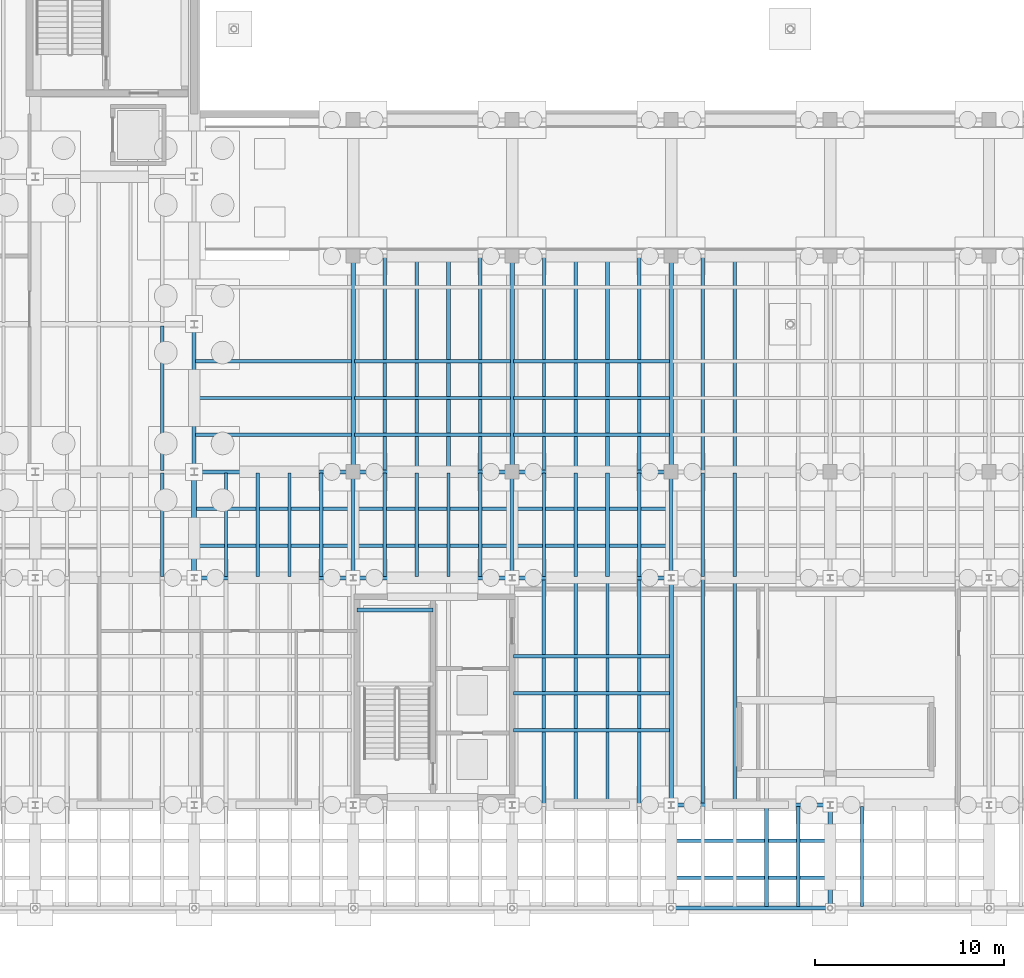
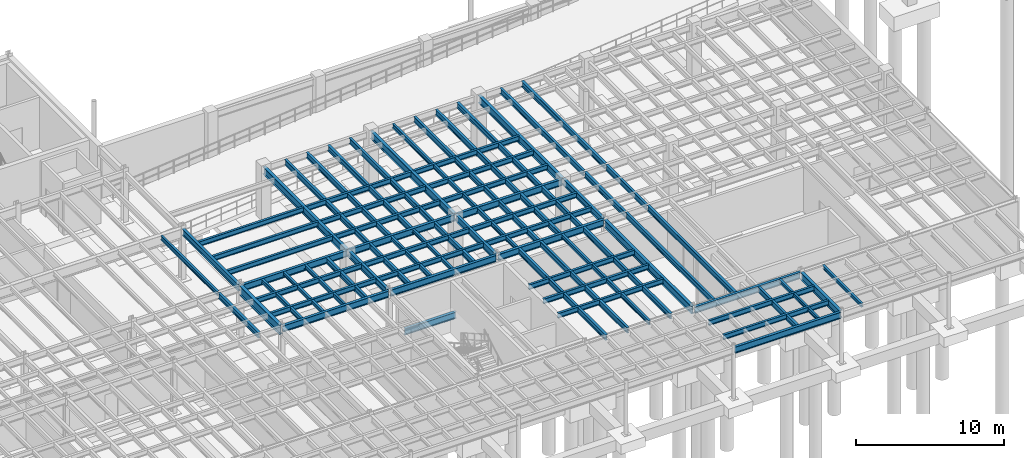
# One storey, part 27 of 41: 74 beams.
"""IFC4 building model written with IfcOpenShell, lengths in metres."""

from ifc_helpers import new_model, si_unit, direction, frame, origin, origin_2d, place, context, subcontext, project, spatial, i_section, extrude, material, material_profile, profile_set, type_object, element, save


model = new_model("IFC4")

# Units and contexts
model_context = context("Model", 3, precision=1e-05, world=origin(), true_north=direction((0.0, 1.0)))
body_context = subcontext(model_context, "Body", "Model", "MODEL_VIEW")
ifc_project = project(units=[si_unit("LENGTHUNIT", "METRE"), si_unit("AREAUNIT", "SQUARE_METRE"), si_unit("VOLUMEUNIT", "CUBIC_METRE"), si_unit("PLANEANGLEUNIT", "RADIAN"), si_unit("MASSUNIT", "GRAM", prefix="KILO")], contexts=[model_context])

# Site, building, storey
site_placement = place(None, origin())
site = spatial("IfcSite", under=ifc_project, at=site_placement, CompositionType="ELEMENT")
building_placement = place(site_placement, origin())
building = spatial("IfcBuilding", under=site, at=building_placement, Name="Selat Folded Stagehouse", CompositionType="ELEMENT")
storey_placement = place(building_placement, frame((0.0, 0.0, -4.5)))
storey = spatial("IfcBuildingStorey", under=building, at=storey_placement, Name="B1", CompositionType="ELEMENT", Elevation=-4.5)

# Beams
ifc_material = material(Name="Steel S355", Category="steel")
ifc_material_profile_1 = material_profile(ifc_material, i_section(OverallWidth=0.210693359375, OverallDepth=0.53955078125, WebThickness=0.01171875, FlangeThickness=0.018798828125, FilletRadius=0.0126953125, at=origin_2d()), Name="UKB 533x210x109")
ifc_profile_set_1 = profile_set([ifc_material_profile_1], Name="Steel S355")
beam_type_1 = type_object("IfcBeamType", Name="BM-GIRD-533x210x109", PredefinedType="BEAM", material=ifc_profile_set_1)
beam_1_placement = place(storey_placement, frame((67.199951171875, 23.47998046875, 3.930419921875), z_axis=(0.0, 1.0, 0.0), x_axis=(-1.0, 0.0, 0.0)))
element("IfcBeam", 1, at=beam_1_placement, inside=storey, type_object=beam_type_1, Name="B1 primary y-girder 0112", PredefinedType="BEAM", context=body_context, shape_type="SweptSolid", body=[
    extrude(i_section(OverallWidth=0.210693359375, OverallDepth=0.53955078125, WebThickness=0.01171875, FlangeThickness=0.018798828125, FilletRadius=0.0126953125, at=origin_2d()), origin(), (0.0, 0.0, 1.0), 7.64013671875),
])
for number, where, z_axis, x_axis, name in (
    (2, (75.60009765625, 17.8798828125, 3.980224609375), (0.0, 1.0, 0.0), (-1.0, 0.0, 0.0), "B1 primary y-girder 0117"),
    (3, (84.0, 17.8798828125, 3.980224609375), (0.0, 1.0, 0.0), (-1.0, 0.0, 0.0), "B1 primary y-girder 0121"),
    (4, (92.39990234375, 17.8798828125, 3.980224609375), (0.0, 1.0, 0.0), (-1.0, 0.0, 0.0), "B1 primary y-girder 0125"),
):
    element("IfcBeam", number, at=place(storey_placement, frame(where, z_axis=z_axis, x_axis=x_axis)), inside=storey, type_object=beam_type_1, Name=name, PredefinedType="BEAM", context=body_context, shape_type="SweptSolid", body=[
        extrude(i_section(OverallWidth=0.210693359375, OverallDepth=0.53955078125, WebThickness=0.01171875, FlangeThickness=0.018798828125, FilletRadius=0.0126953125, at=origin_2d()), origin(), (0.0, 0.0, 1.0), 5.440185546875),
    ])
ifc_material_profile_2 = material_profile(ifc_material, i_section(OverallWidth=0.209228515625, OverallDepth=0.533203125, WebThickness=0.010009765625, FlangeThickness=0.015625, FilletRadius=0.0126953125, at=origin_2d()), Name="UKB 533x210x92")
ifc_profile_set_2 = profile_set([ifc_material_profile_2], Name="Steel S355")
beam_type_2 = type_object("IfcBeamType", Name="BM-GIRD-533x210x92", PredefinedType="BEAM", material=ifc_profile_set_2)
beam_2_placement = place(storey_placement, frame((92.46826171875, 0.35009765625, 3.993408203125), z_axis=(1.0, 0.0, 0.0), x_axis=(0.0, 1.0, 0.0)))
element("IfcBeam", 5, at=beam_2_placement, inside=storey, type_object=beam_type_2, Name="B1 primary x-girder 0010", PredefinedType="BEAM", context=body_context, shape_type="SweptSolid", body=[
    extrude(i_section(OverallWidth=0.209228515625, OverallDepth=0.533203125, WebThickness=0.010009765625, FlangeThickness=0.015625, FilletRadius=0.0126953125, at=origin_2d()), origin(), (0.0, 0.0, 1.0), 8.263427734375),
])
for number, where, z_axis, x_axis, name in (
    (6, (92.47998046875, 5.800048828125, 3.9833984375), (1.0, 0.0, 0.0), (0.0, 1.0, 0.0), "B1 primary x-girder 0019"),
    (7, (67.280029296875, 17.800048828125, 3.9833984375), (1.0, 0.0, 0.0), (0.0, 1.0, 0.0), "B1 primary x-girder 0027"),
    (8, (75.679931640625, 17.800048828125, 3.9833984375), (1.0, 0.0, 0.0), (0.0, 1.0, 0.0), "B1 primary x-girder 0028"),
    (9, (84.080078125, 17.800048828125, 3.9833984375), (1.0, 0.0, 0.0), (0.0, 1.0, 0.0), "B1 primary x-girder 0029"),
    (10, (67.280029296875, 23.39990234375, 3.93359375), (1.0, 0.0, 0.0), (0.0, 1.0, 0.0), "B1 primary x-girder 0040"),
    (11, (75.679931640625, 23.39990234375, 3.93359375), (1.0, 0.0, 0.0), (0.0, 1.0, 0.0), "B1 primary x-girder 0041"),
    (12, (84.080078125, 23.39990234375, 3.93359375), (1.0, 0.0, 0.0), (0.0, 1.0, 0.0), "B1 primary x-girder 0042"),
):
    element("IfcBeam", number, at=place(storey_placement, frame(where, z_axis=z_axis, x_axis=x_axis)), inside=storey, type_object=beam_type_2, Name=name, PredefinedType="BEAM", context=body_context, shape_type="SweptSolid", body=[
        extrude(i_section(OverallWidth=0.209228515625, OverallDepth=0.533203125, WebThickness=0.010009765625, FlangeThickness=0.015625, FilletRadius=0.0126953125, at=origin_2d()), origin(), (0.0, 0.0, 1.0), 8.239990234375),
    ])
beam_3_placement = place(storey_placement, frame((75.800048828125, 16.10009765625, 1.783447265625), z_axis=(1.0, 0.0, 0.0), x_axis=(0.0, 1.0, 0.0)))
element("IfcBeam", 13, at=beam_3_placement, inside=storey, type_object=beam_type_2, Name="B1 ST-03 landing support beam 2", PredefinedType="BEAM", context=body_context, shape_type="SweptSolid", body=[
    extrude(i_section(OverallWidth=0.209228515625, OverallDepth=0.533203125, WebThickness=0.010009765625, FlangeThickness=0.015625, FilletRadius=0.0126953125, at=origin_2d()), origin(), (0.0, 0.0, 1.0), 4.02001953125),
])
ifc_material_profile_3 = material_profile(ifc_material, i_section(OverallWidth=0.230224609375, OverallDepth=0.6171875, WebThickness=0.01318359375, FlangeThickness=0.022216796875, FilletRadius=0.0126953125, at=origin_2d()), Name="UKB 610x229x140")
ifc_profile_set_3 = profile_set([ifc_material_profile_3], Name="Steel S355")
beam_type_3 = type_object("IfcBeamType", Name="BM-GIRD-610x229x140", PredefinedType="BEAM", material=ifc_profile_set_3)
for number, where, z_axis, x_axis, name in (
    (14, (75.60009765625, 23.47998046875, 3.891357421875), (0.0, 1.0, 0.0), (-1.0, 0.0, 0.0), "B1 primary y-girder 0118"),
    (15, (84.0, 23.47998046875, 3.891357421875), (0.0, 1.0, 0.0), (-1.0, 0.0, 0.0), "B1 primary y-girder 0122"),
):
    element("IfcBeam", number, at=place(storey_placement, frame(where, z_axis=z_axis, x_axis=x_axis)), inside=storey, type_object=beam_type_3, Name=name, PredefinedType="BEAM", context=body_context, shape_type="SweptSolid", body=[
        extrude(i_section(OverallWidth=0.230224609375, OverallDepth=0.6171875, WebThickness=0.01318359375, FlangeThickness=0.022216796875, FilletRadius=0.0126953125, at=origin_2d()), origin(), (0.0, 0.0, 1.0), 11.239990234375),
    ])
beam_4_placement = place(storey_placement, frame((92.39990234375, 5.8798828125, 3.94140625), z_axis=(0.0, 1.0, 0.0), x_axis=(-1.0, 0.0, 0.0)))
element("IfcBeam", 16, at=beam_4_placement, inside=storey, type_object=beam_type_3, Name="B1 primary y-girder 0124", PredefinedType="BEAM", context=body_context, shape_type="SweptSolid", body=[
    extrude(i_section(OverallWidth=0.230224609375, OverallDepth=0.6171875, WebThickness=0.01318359375, FlangeThickness=0.022216796875, FilletRadius=0.0126953125, at=origin_2d()), origin(), (0.0, 0.0, 1.0), 11.840087890625),
])
beam_5_placement = place(storey_placement, frame((92.39990234375, 23.47998046875, 3.891357421875), z_axis=(0.0, 1.0, 0.0), x_axis=(-1.0, 0.0, 0.0)))
element("IfcBeam", 17, at=beam_5_placement, inside=storey, type_object=beam_type_3, Name="B1 primary y-girder 0126", PredefinedType="BEAM", context=body_context, shape_type="SweptSolid", body=[
    extrude(i_section(OverallWidth=0.230224609375, OverallDepth=0.6171875, WebThickness=0.01318359375, FlangeThickness=0.022216796875, FilletRadius=0.0126953125, at=origin_2d()), origin(), (0.0, 0.0, 1.0), 11.239990234375),
])
beam_6_placement = place(storey_placement, frame((100.800048828125, 0.418212890625, 3.951416015625), z_axis=(0.0, 1.0, 0.0), x_axis=(-1.0, 0.0, 0.0)))
element("IfcBeam", 18, at=beam_6_placement, inside=storey, type_object=beam_type_3, Name="B1 primary y-girder 0127", PredefinedType="BEAM", context=body_context, shape_type="SweptSolid", body=[
    extrude(i_section(OverallWidth=0.230224609375, OverallDepth=0.6171875, WebThickness=0.01318359375, FlangeThickness=0.022216796875, FilletRadius=0.0126953125, at=origin_2d()), origin(), (0.0, 0.0, 1.0), 5.3017578125),
])
ifc_material_profile_4 = material_profile(ifc_material, i_section(OverallWidth=0.26806640625, OverallDepth=0.769775390625, WebThickness=0.015625, FlangeThickness=0.025390625, FilletRadius=0.0166015625, at=origin_2d()), Name="UKB 762x267x197")
ifc_profile_set_4 = profile_set([ifc_material_profile_4], Name="Steel S355")
beam_type_4 = type_object("IfcBeamType", Name="BM-GIRD-762x267x197", PredefinedType="BEAM", material=ifc_profile_set_4)
beam_7_placement = place(storey_placement, frame((67.199951171875, 17.8798828125, 3.864990234375), z_axis=(0.0, 1.0, 0.0), x_axis=(-1.0, 0.0, 0.0)))
element("IfcBeam", 19, at=beam_7_placement, inside=storey, type_object=beam_type_4, Name="B1 primary y-girder 0111", PredefinedType="BEAM", context=body_context, shape_type="SweptSolid", body=[
    extrude(i_section(OverallWidth=0.26806640625, OverallDepth=0.769775390625, WebThickness=0.015625, FlangeThickness=0.025390625, FilletRadius=0.0166015625, at=origin_2d()), origin(), (0.0, 0.0, 1.0), 5.440185546875),
])
ifc_material_profile_5 = material_profile(ifc_material, i_section(OverallWidth=0.1650390625, OverallDepth=0.303466796875, WebThickness=0.006103515625, FlangeThickness=0.01025390625, FilletRadius=0.0087890625, at=origin_2d()), Name="UKB 305x165x40")
ifc_profile_set_5 = profile_set([ifc_material_profile_5], Name="Steel S355")
beam_type_5 = type_object("IfcBeamType", Name="JST-305x165x40", PredefinedType="JOIST", material=ifc_profile_set_5)
for number, where, z_axis, x_axis, name in (
    (20, (70.56005859375, 17.873291015625, 4.04833984375), (0.0, 1.0, 0.0), (-1.0, 0.0, 0.0), "B1 secondary floor joist 0268"),
    (21, (80.639892578125, 17.873291015625, 4.04833984375), (0.0, 1.0, 0.0), (-1.0, 0.0, 0.0), "B1 secondary floor joist 0283"),
):
    element("IfcBeam", number, at=place(storey_placement, frame(where, z_axis=z_axis, x_axis=x_axis)), inside=storey, type_object=beam_type_5, Name=name, PredefinedType="JOIST", context=body_context, shape_type="SweptSolid", body=[
        extrude(i_section(OverallWidth=0.1650390625, OverallDepth=0.303466796875, WebThickness=0.006103515625, FlangeThickness=0.01025390625, FilletRadius=0.0087890625, at=origin_2d()), origin(), (0.0, 0.0, 1.0), 5.453369140625),
    ])
for number, where, z_axis, x_axis, name in (
    (22, (99.1201171875, 0.42333984375, 4.098388671875), (0.0, 1.0, 0.0), (-1.0, 0.0, 0.0), "B1 secondary floor joist 0316"),
    (23, (102.47998046875, 0.42333984375, 4.098388671875), (0.0, 1.0, 0.0), (-1.0, 0.0, 0.0), "B1 secondary floor joist 0319"),
):
    element("IfcBeam", number, at=place(storey_placement, frame(where, z_axis=z_axis, x_axis=x_axis)), inside=storey, type_object=beam_type_5, Name=name, PredefinedType="JOIST", context=body_context, shape_type="SweptSolid", body=[
        extrude(i_section(OverallWidth=0.1650390625, OverallDepth=0.303466796875, WebThickness=0.006103515625, FlangeThickness=0.01025390625, FilletRadius=0.0087890625, at=origin_2d()), origin(), (0.0, 0.0, 1.0), 5.303466796875),
    ])
ifc_material_profile_6 = material_profile(ifc_material, i_section(OverallWidth=0.17138671875, OverallDepth=0.35498046875, WebThickness=0.00732421875, FlangeThickness=0.011474609375, FilletRadius=0.01025390625, at=origin_2d()), Name="UKB 356x171x51")
ifc_profile_set_6 = profile_set([ifc_material_profile_6], Name="Steel S355")
beam_type_6 = type_object("IfcBeamType", Name="JST-356x171x51", PredefinedType="JOIST", material=ifc_profile_set_6)
beam_8_placement = place(storey_placement, frame((65.52001953125, 23.473388671875, 4.04248046875), z_axis=(0.0, 1.0, 0.0), x_axis=(-1.0, 0.0, 0.0)))
element("IfcBeam", 24, at=beam_8_placement, inside=storey, type_object=beam_type_6, Name="B1 secondary floor joist 0261", PredefinedType="JOIST", context=body_context, shape_type="SweptSolid", body=[
    extrude(i_section(OverallWidth=0.17138671875, OverallDepth=0.35498046875, WebThickness=0.00732421875, FlangeThickness=0.011474609375, FilletRadius=0.01025390625, at=origin_2d()), origin(), (0.0, 0.0, 1.0), 7.623779296875),
])
for number, where, z_axis, x_axis, name in (
    (25, (68.8798828125, 17.873291015625, 4.0224609375), (0.0, 1.0, 0.0), (-1.0, 0.0, 0.0), "B1 secondary floor joist 0265"),
    (26, (72.239990234375, 17.873291015625, 4.0224609375), (0.0, 1.0, 0.0), (-1.0, 0.0, 0.0), "B1 secondary floor joist 0271"),
    (27, (78.9599609375, 17.873291015625, 4.0224609375), (0.0, 1.0, 0.0), (-1.0, 0.0, 0.0), "B1 secondary floor joist 0279"),
    (28, (85.679931640625, 17.873291015625, 4.0224609375), (0.0, 1.0, 0.0), (-1.0, 0.0, 0.0), "B1 secondary floor joist 0290"),
):
    element("IfcBeam", number, at=place(storey_placement, frame(where, z_axis=z_axis, x_axis=x_axis)), inside=storey, type_object=beam_type_6, Name=name, PredefinedType="JOIST", context=body_context, shape_type="SweptSolid", body=[
        extrude(i_section(OverallWidth=0.17138671875, OverallDepth=0.35498046875, WebThickness=0.00732421875, FlangeThickness=0.011474609375, FilletRadius=0.01025390625, at=origin_2d()), origin(), (0.0, 0.0, 1.0), 5.453369140625),
    ])
beam_9_placement = place(storey_placement, frame((85.679931640625, 23.473388671875, 4.0224609375), z_axis=(0.0, 1.0, 0.0), x_axis=(-1.0, 0.0, 0.0)))
element("IfcBeam", 29, at=beam_9_placement, inside=storey, type_object=beam_type_6, Name="B1 secondary floor joist 0291", PredefinedType="JOIST", context=body_context, shape_type="SweptSolid", body=[
    extrude(i_section(OverallWidth=0.17138671875, OverallDepth=0.35498046875, WebThickness=0.00732421875, FlangeThickness=0.011474609375, FilletRadius=0.01025390625, at=origin_2d()), origin(), (0.0, 0.0, 1.0), 11.25341796875),
])
beam_10_placement = place(storey_placement, frame((89.0400390625, 5.873291015625, 4.072509765625), z_axis=(0.0, 1.0, 0.0), x_axis=(-1.0, 0.0, 0.0)))
element("IfcBeam", 30, at=beam_10_placement, inside=storey, type_object=beam_type_6, Name="B1 secondary floor joist 0297", PredefinedType="JOIST", context=body_context, shape_type="SweptSolid", body=[
    extrude(i_section(OverallWidth=0.17138671875, OverallDepth=0.35498046875, WebThickness=0.00732421875, FlangeThickness=0.011474609375, FilletRadius=0.01025390625, at=origin_2d()), origin(), (0.0, 0.0, 1.0), 11.853515625),
])
ifc_material_profile_7 = material_profile(ifc_material, i_section(OverallWidth=0.177978515625, OverallDepth=0.406494140625, WebThickness=0.0078125, FlangeThickness=0.0126953125, FilletRadius=0.01025390625, at=origin_2d()), Name="UKB 406x178x60")
ifc_profile_set_7 = profile_set([ifc_material_profile_7], Name="Steel S355")
beam_type_7 = type_object("IfcBeamType", Name="JST-406x178x60", PredefinedType="JOIST", material=ifc_profile_set_7)
for number, where, z_axis, x_axis, name in (
    (31, (92.480712890625, 1.949951171875, 4.056884765625), (1.0, 0.0, 0.0), (0.0, 1.0, 0.0), "B1 secondary x-joist 0390"),
    (32, (92.480712890625, 3.89990234375, 4.056884765625), (1.0, 0.0, 0.0), (0.0, 1.0, 0.0), "B1 secondary x-joist 0399"),
    (33, (84.08056640625, 9.75, 4.046875), (1.0, 0.0, 0.0), (0.0, 1.0, 0.0), "B1 secondary x-joist 0407"),
    (34, (84.08056640625, 11.699951171875, 4.046875), (1.0, 0.0, 0.0), (0.0, 1.0, 0.0), "B1 secondary x-joist 0415"),
    (35, (84.08056640625, 13.64990234375, 4.046875), (1.0, 0.0, 0.0), (0.0, 1.0, 0.0), "B1 secondary x-joist 0423"),
):
    element("IfcBeam", number, at=place(storey_placement, frame(where, z_axis=z_axis, x_axis=x_axis)), inside=storey, type_object=beam_type_7, Name=name, PredefinedType="JOIST", context=body_context, shape_type="SweptSolid", body=[
        extrude(i_section(OverallWidth=0.177978515625, OverallDepth=0.406494140625, WebThickness=0.0078125, FlangeThickness=0.0126953125, FilletRadius=0.01025390625, at=origin_2d()), origin(), (0.0, 0.0, 1.0), 8.23876953125),
    ])
beam_11_placement = place(storey_placement, frame((67.293701171875, 19.5, 4.046875), z_axis=(1.0, 0.0, 0.0), x_axis=(0.0, 1.0, 0.0)))
element("IfcBeam", 36, at=beam_11_placement, inside=storey, type_object=beam_type_7, Name="B1 secondary x-joist 0433", PredefinedType="JOIST", context=body_context, shape_type="SweptSolid", body=[
    extrude(i_section(OverallWidth=0.177978515625, OverallDepth=0.406494140625, WebThickness=0.0078125, FlangeThickness=0.0126953125, FilletRadius=0.01025390625, at=origin_2d()), origin(), (0.0, 0.0, 1.0), 8.232421875),
])
for number, where, z_axis, x_axis, name in (
    (37, (75.673828125, 19.5, 4.046875), (1.0, 0.0, 0.0), (0.0, 1.0, 0.0), "B1 secondary x-joist 0434"),
    (38, (84.07373046875, 19.5, 4.046875), (1.0, 0.0, 0.0), (0.0, 1.0, 0.0), "B1 secondary x-joist 0435"),
):
    element("IfcBeam", number, at=place(storey_placement, frame(where, z_axis=z_axis, x_axis=x_axis)), inside=storey, type_object=beam_type_7, Name=name, PredefinedType="JOIST", context=body_context, shape_type="SweptSolid", body=[
        extrude(i_section(OverallWidth=0.177978515625, OverallDepth=0.406494140625, WebThickness=0.0078125, FlangeThickness=0.0126953125, FilletRadius=0.01025390625, at=origin_2d()), origin(), (0.0, 0.0, 1.0), 8.25244140625),
    ])
beam_12_placement = place(storey_placement, frame((67.293701171875, 21.449951171875, 4.046875), z_axis=(1.0, 0.0, 0.0), x_axis=(0.0, 1.0, 0.0)))
element("IfcBeam", 39, at=beam_12_placement, inside=storey, type_object=beam_type_7, Name="B1 secondary x-joist 0443", PredefinedType="JOIST", context=body_context, shape_type="SweptSolid", body=[
    extrude(i_section(OverallWidth=0.177978515625, OverallDepth=0.406494140625, WebThickness=0.0078125, FlangeThickness=0.0126953125, FilletRadius=0.01025390625, at=origin_2d()), origin(), (0.0, 0.0, 1.0), 8.232421875),
])
for number, where, z_axis, x_axis, name in (
    (40, (75.673828125, 21.449951171875, 4.046875), (1.0, 0.0, 0.0), (0.0, 1.0, 0.0), "B1 secondary x-joist 0444"),
    (41, (84.07373046875, 21.449951171875, 4.046875), (1.0, 0.0, 0.0), (0.0, 1.0, 0.0), "B1 secondary x-joist 0445"),
):
    element("IfcBeam", number, at=place(storey_placement, frame(where, z_axis=z_axis, x_axis=x_axis)), inside=storey, type_object=beam_type_7, Name=name, PredefinedType="JOIST", context=body_context, shape_type="SweptSolid", body=[
        extrude(i_section(OverallWidth=0.177978515625, OverallDepth=0.406494140625, WebThickness=0.0078125, FlangeThickness=0.0126953125, FilletRadius=0.01025390625, at=origin_2d()), origin(), (0.0, 0.0, 1.0), 8.25244140625),
    ])
beam_13_placement = place(storey_placement, frame((67.273681640625, 25.35009765625, 3.996826171875), z_axis=(1.0, 0.0, 0.0), x_axis=(0.0, 1.0, 0.0)))
element("IfcBeam", 42, at=beam_13_placement, inside=storey, type_object=beam_type_7, Name="B1 secondary x-joist 0449", PredefinedType="JOIST", context=body_context, shape_type="SweptSolid", body=[
    extrude(i_section(OverallWidth=0.177978515625, OverallDepth=0.406494140625, WebThickness=0.0078125, FlangeThickness=0.0126953125, FilletRadius=0.01025390625, at=origin_2d()), origin(), (0.0, 0.0, 1.0), 8.24560546875),
])
for number, where, z_axis, x_axis, name in (
    (43, (75.6806640625, 25.35009765625, 3.996826171875), (1.0, 0.0, 0.0), (0.0, 1.0, 0.0), "B1 secondary x-joist 0450"),
    (44, (84.08056640625, 25.35009765625, 3.996826171875), (1.0, 0.0, 0.0), (0.0, 1.0, 0.0), "B1 secondary x-joist 0451"),
):
    element("IfcBeam", number, at=place(storey_placement, frame(where, z_axis=z_axis, x_axis=x_axis)), inside=storey, type_object=beam_type_7, Name=name, PredefinedType="JOIST", context=body_context, shape_type="SweptSolid", body=[
        extrude(i_section(OverallWidth=0.177978515625, OverallDepth=0.406494140625, WebThickness=0.0078125, FlangeThickness=0.0126953125, FilletRadius=0.01025390625, at=origin_2d()), origin(), (0.0, 0.0, 1.0), 8.23876953125),
    ])
beam_14_placement = place(storey_placement, frame((67.273681640625, 27.300048828125, 3.996826171875), z_axis=(1.0, 0.0, 0.0), x_axis=(0.0, 1.0, 0.0)))
element("IfcBeam", 45, at=beam_14_placement, inside=storey, type_object=beam_type_7, Name="B1 secondary x-joist 0455", PredefinedType="JOIST", context=body_context, shape_type="SweptSolid", body=[
    extrude(i_section(OverallWidth=0.177978515625, OverallDepth=0.406494140625, WebThickness=0.0078125, FlangeThickness=0.0126953125, FilletRadius=0.01025390625, at=origin_2d()), origin(), (0.0, 0.0, 1.0), 8.24560546875),
])
for number, where, z_axis, x_axis, name in (
    (46, (75.6806640625, 27.300048828125, 3.996826171875), (1.0, 0.0, 0.0), (0.0, 1.0, 0.0), "B1 secondary x-joist 0456"),
    (47, (84.08056640625, 27.300048828125, 3.996826171875), (1.0, 0.0, 0.0), (0.0, 1.0, 0.0), "B1 secondary x-joist 0457"),
):
    element("IfcBeam", number, at=place(storey_placement, frame(where, z_axis=z_axis, x_axis=x_axis)), inside=storey, type_object=beam_type_7, Name=name, PredefinedType="JOIST", context=body_context, shape_type="SweptSolid", body=[
        extrude(i_section(OverallWidth=0.177978515625, OverallDepth=0.406494140625, WebThickness=0.0078125, FlangeThickness=0.0126953125, FilletRadius=0.01025390625, at=origin_2d()), origin(), (0.0, 0.0, 1.0), 8.23876953125),
    ])
beam_15_placement = place(storey_placement, frame((67.273681640625, 29.25, 3.996826171875), z_axis=(1.0, 0.0, 0.0), x_axis=(0.0, 1.0, 0.0)))
element("IfcBeam", 48, at=beam_15_placement, inside=storey, type_object=beam_type_7, Name="B1 secondary x-joist 0464", PredefinedType="JOIST", context=body_context, shape_type="SweptSolid", body=[
    extrude(i_section(OverallWidth=0.177978515625, OverallDepth=0.406494140625, WebThickness=0.0078125, FlangeThickness=0.0126953125, FilletRadius=0.01025390625, at=origin_2d()), origin(), (0.0, 0.0, 1.0), 8.24560546875),
])
for number, where, z_axis, x_axis, name in (
    (49, (75.6806640625, 29.25, 3.996826171875), (1.0, 0.0, 0.0), (0.0, 1.0, 0.0), "B1 secondary x-joist 0465"),
    (50, (84.08056640625, 29.25, 3.996826171875), (1.0, 0.0, 0.0), (0.0, 1.0, 0.0), "B1 secondary x-joist 0466"),
):
    element("IfcBeam", number, at=place(storey_placement, frame(where, z_axis=z_axis, x_axis=x_axis)), inside=storey, type_object=beam_type_7, Name=name, PredefinedType="JOIST", context=body_context, shape_type="SweptSolid", body=[
        extrude(i_section(OverallWidth=0.177978515625, OverallDepth=0.406494140625, WebThickness=0.0078125, FlangeThickness=0.0126953125, FilletRadius=0.01025390625, at=origin_2d()), origin(), (0.0, 0.0, 1.0), 8.23876953125),
    ])
ifc_material_profile_8 = material_profile(ifc_material, i_section(OverallWidth=0.18994140625, OverallDepth=0.453369140625, WebThickness=0.008544921875, FlangeThickness=0.0126953125, FilletRadius=0.01025390625, at=origin_2d()), Name="UKB 457x191x67")
ifc_profile_set_8 = profile_set([ifc_material_profile_8], Name="Steel S355")
beam_type_8 = type_object("IfcBeamType", Name="JST-457x191x67", PredefinedType="JOIST", material=ifc_profile_set_8)
for number, where, z_axis, x_axis, name in (
    (51, (65.52001953125, 17.873291015625, 3.993408203125), (0.0, 1.0, 0.0), (-1.0, 0.0, 0.0), "B1 secondary floor joist 0260"),
    (52, (73.919921875, 17.873291015625, 3.973388671875), (0.0, 1.0, 0.0), (-1.0, 0.0, 0.0), "B1 secondary floor joist 0274"),
    (53, (77.280029296875, 17.873291015625, 3.973388671875), (0.0, 1.0, 0.0), (-1.0, 0.0, 0.0), "B1 secondary floor joist 0276"),
):
    element("IfcBeam", number, at=place(storey_placement, frame(where, z_axis=z_axis, x_axis=x_axis)), inside=storey, type_object=beam_type_8, Name=name, PredefinedType="JOIST", context=body_context, shape_type="SweptSolid", body=[
        extrude(i_section(OverallWidth=0.18994140625, OverallDepth=0.453369140625, WebThickness=0.008544921875, FlangeThickness=0.0126953125, FilletRadius=0.01025390625, at=origin_2d()), origin(), (0.0, 0.0, 1.0), 5.453369140625),
    ])
for number, where, z_axis, x_axis, name in (
    (54, (77.280029296875, 23.473388671875, 3.973388671875), (0.0, 1.0, 0.0), (-1.0, 0.0, 0.0), "B1 secondary floor joist 0277"),
    (55, (78.9599609375, 23.473388671875, 3.973388671875), (0.0, 1.0, 0.0), (-1.0, 0.0, 0.0), "B1 secondary floor joist 0280"),
    (56, (80.639892578125, 23.473388671875, 3.973388671875), (0.0, 1.0, 0.0), (-1.0, 0.0, 0.0), "B1 secondary floor joist 0284"),
):
    element("IfcBeam", number, at=place(storey_placement, frame(where, z_axis=z_axis, x_axis=x_axis)), inside=storey, type_object=beam_type_8, Name=name, PredefinedType="JOIST", context=body_context, shape_type="SweptSolid", body=[
        extrude(i_section(OverallWidth=0.18994140625, OverallDepth=0.453369140625, WebThickness=0.008544921875, FlangeThickness=0.0126953125, FilletRadius=0.01025390625, at=origin_2d()), origin(), (0.0, 0.0, 1.0), 11.25341796875),
    ])
beam_16_placement = place(storey_placement, frame((82.320068359375, 17.873291015625, 3.973388671875), z_axis=(0.0, 1.0, 0.0), x_axis=(-1.0, 0.0, 0.0)))
element("IfcBeam", 57, at=beam_16_placement, inside=storey, type_object=beam_type_8, Name="B1 secondary floor joist 0286", PredefinedType="JOIST", context=body_context, shape_type="SweptSolid", body=[
    extrude(i_section(OverallWidth=0.18994140625, OverallDepth=0.453369140625, WebThickness=0.008544921875, FlangeThickness=0.0126953125, FilletRadius=0.01025390625, at=origin_2d()), origin(), (0.0, 0.0, 1.0), 5.453369140625),
])
beam_17_placement = place(storey_placement, frame((82.320068359375, 23.473388671875, 3.973388671875), z_axis=(0.0, 1.0, 0.0), x_axis=(-1.0, 0.0, 0.0)))
element("IfcBeam", 58, at=beam_17_placement, inside=storey, type_object=beam_type_8, Name="B1 secondary floor joist 0287", PredefinedType="JOIST", context=body_context, shape_type="SweptSolid", body=[
    extrude(i_section(OverallWidth=0.18994140625, OverallDepth=0.453369140625, WebThickness=0.008544921875, FlangeThickness=0.0126953125, FilletRadius=0.01025390625, at=origin_2d()), origin(), (0.0, 0.0, 1.0), 11.25341796875),
])
for number, where, z_axis, x_axis, name in (
    (59, (85.679931640625, 5.873291015625, 4.023193359375), (0.0, 1.0, 0.0), (-1.0, 0.0, 0.0), "B1 secondary floor joist 0289"),
    (60, (87.360107421875, 5.873291015625, 4.023193359375), (0.0, 1.0, 0.0), (-1.0, 0.0, 0.0), "B1 secondary floor joist 0293"),
):
    element("IfcBeam", number, at=place(storey_placement, frame(where, z_axis=z_axis, x_axis=x_axis)), inside=storey, type_object=beam_type_8, Name=name, PredefinedType="JOIST", context=body_context, shape_type="SweptSolid", body=[
        extrude(i_section(OverallWidth=0.18994140625, OverallDepth=0.453369140625, WebThickness=0.008544921875, FlangeThickness=0.0126953125, FilletRadius=0.01025390625, at=origin_2d()), origin(), (0.0, 0.0, 1.0), 11.853515625),
    ])
beam_18_placement = place(storey_placement, frame((87.360107421875, 17.873291015625, 3.973388671875), z_axis=(0.0, 1.0, 0.0), x_axis=(-1.0, 0.0, 0.0)))
element("IfcBeam", 61, at=beam_18_placement, inside=storey, type_object=beam_type_8, Name="B1 secondary floor joist 0294", PredefinedType="JOIST", context=body_context, shape_type="SweptSolid", body=[
    extrude(i_section(OverallWidth=0.18994140625, OverallDepth=0.453369140625, WebThickness=0.008544921875, FlangeThickness=0.0126953125, FilletRadius=0.01025390625, at=origin_2d()), origin(), (0.0, 0.0, 1.0), 5.453369140625),
])
beam_19_placement = place(storey_placement, frame((87.360107421875, 23.473388671875, 3.973388671875), z_axis=(0.0, 1.0, 0.0), x_axis=(-1.0, 0.0, 0.0)))
element("IfcBeam", 62, at=beam_19_placement, inside=storey, type_object=beam_type_8, Name="B1 secondary floor joist 0295", PredefinedType="JOIST", context=body_context, shape_type="SweptSolid", body=[
    extrude(i_section(OverallWidth=0.18994140625, OverallDepth=0.453369140625, WebThickness=0.008544921875, FlangeThickness=0.0126953125, FilletRadius=0.01025390625, at=origin_2d()), origin(), (0.0, 0.0, 1.0), 11.25341796875),
])
beam_20_placement = place(storey_placement, frame((89.0400390625, 17.873291015625, 3.973388671875), z_axis=(0.0, 1.0, 0.0), x_axis=(-1.0, 0.0, 0.0)))
element("IfcBeam", 63, at=beam_20_placement, inside=storey, type_object=beam_type_8, Name="B1 secondary floor joist 0298", PredefinedType="JOIST", context=body_context, shape_type="SweptSolid", body=[
    extrude(i_section(OverallWidth=0.18994140625, OverallDepth=0.453369140625, WebThickness=0.008544921875, FlangeThickness=0.0126953125, FilletRadius=0.01025390625, at=origin_2d()), origin(), (0.0, 0.0, 1.0), 5.453369140625),
])
beam_21_placement = place(storey_placement, frame((89.0400390625, 23.473388671875, 3.973388671875), z_axis=(0.0, 1.0, 0.0), x_axis=(-1.0, 0.0, 0.0)))
element("IfcBeam", 64, at=beam_21_placement, inside=storey, type_object=beam_type_8, Name="B1 secondary floor joist 0299", PredefinedType="JOIST", context=body_context, shape_type="SweptSolid", body=[
    extrude(i_section(OverallWidth=0.18994140625, OverallDepth=0.453369140625, WebThickness=0.008544921875, FlangeThickness=0.0126953125, FilletRadius=0.01025390625, at=origin_2d()), origin(), (0.0, 0.0, 1.0), 11.25341796875),
])
beam_22_placement = place(storey_placement, frame((90.719970703125, 5.873291015625, 4.023193359375), z_axis=(0.0, 1.0, 0.0), x_axis=(-1.0, 0.0, 0.0)))
element("IfcBeam", 65, at=beam_22_placement, inside=storey, type_object=beam_type_8, Name="B1 secondary floor joist 0301", PredefinedType="JOIST", context=body_context, shape_type="SweptSolid", body=[
    extrude(i_section(OverallWidth=0.18994140625, OverallDepth=0.453369140625, WebThickness=0.008544921875, FlangeThickness=0.0126953125, FilletRadius=0.01025390625, at=origin_2d()), origin(), (0.0, 0.0, 1.0), 11.853515625),
])
beam_23_placement = place(storey_placement, frame((90.719970703125, 17.873291015625, 3.973388671875), z_axis=(0.0, 1.0, 0.0), x_axis=(-1.0, 0.0, 0.0)))
element("IfcBeam", 66, at=beam_23_placement, inside=storey, type_object=beam_type_8, Name="B1 secondary floor joist 0302", PredefinedType="JOIST", context=body_context, shape_type="SweptSolid", body=[
    extrude(i_section(OverallWidth=0.18994140625, OverallDepth=0.453369140625, WebThickness=0.008544921875, FlangeThickness=0.0126953125, FilletRadius=0.01025390625, at=origin_2d()), origin(), (0.0, 0.0, 1.0), 5.453369140625),
])
beam_24_placement = place(storey_placement, frame((90.719970703125, 23.473388671875, 3.973388671875), z_axis=(0.0, 1.0, 0.0), x_axis=(-1.0, 0.0, 0.0)))
element("IfcBeam", 67, at=beam_24_placement, inside=storey, type_object=beam_type_8, Name="B1 secondary floor joist 0303", PredefinedType="JOIST", context=body_context, shape_type="SweptSolid", body=[
    extrude(i_section(OverallWidth=0.18994140625, OverallDepth=0.453369140625, WebThickness=0.008544921875, FlangeThickness=0.0126953125, FilletRadius=0.01025390625, at=origin_2d()), origin(), (0.0, 0.0, 1.0), 11.25341796875),
])
beam_25_placement = place(storey_placement, frame((94.080078125, 5.873291015625, 4.023193359375), z_axis=(0.0, 1.0, 0.0), x_axis=(-1.0, 0.0, 0.0)))
element("IfcBeam", 68, at=beam_25_placement, inside=storey, type_object=beam_type_8, Name="B1 secondary floor joist 0305", PredefinedType="JOIST", context=body_context, shape_type="SweptSolid", body=[
    extrude(i_section(OverallWidth=0.18994140625, OverallDepth=0.453369140625, WebThickness=0.008544921875, FlangeThickness=0.0126953125, FilletRadius=0.01025390625, at=origin_2d()), origin(), (0.0, 0.0, 1.0), 11.853515625),
])
beam_26_placement = place(storey_placement, frame((94.080078125, 17.873291015625, 3.973388671875), z_axis=(0.0, 1.0, 0.0), x_axis=(-1.0, 0.0, 0.0)))
element("IfcBeam", 69, at=beam_26_placement, inside=storey, type_object=beam_type_8, Name="B1 secondary floor joist 0306", PredefinedType="JOIST", context=body_context, shape_type="SweptSolid", body=[
    extrude(i_section(OverallWidth=0.18994140625, OverallDepth=0.453369140625, WebThickness=0.008544921875, FlangeThickness=0.0126953125, FilletRadius=0.01025390625, at=origin_2d()), origin(), (0.0, 0.0, 1.0), 5.453369140625),
])
beam_27_placement = place(storey_placement, frame((94.080078125, 23.473388671875, 3.973388671875), z_axis=(0.0, 1.0, 0.0), x_axis=(-1.0, 0.0, 0.0)))
element("IfcBeam", 70, at=beam_27_placement, inside=storey, type_object=beam_type_8, Name="B1 secondary floor joist 0307", PredefinedType="JOIST", context=body_context, shape_type="SweptSolid", body=[
    extrude(i_section(OverallWidth=0.18994140625, OverallDepth=0.453369140625, WebThickness=0.008544921875, FlangeThickness=0.0126953125, FilletRadius=0.01025390625, at=origin_2d()), origin(), (0.0, 0.0, 1.0), 11.25341796875),
])
beam_28_placement = place(storey_placement, frame((95.760009765625, 5.873291015625, 4.023193359375), z_axis=(0.0, 1.0, 0.0), x_axis=(-1.0, 0.0, 0.0)))
element("IfcBeam", 71, at=beam_28_placement, inside=storey, type_object=beam_type_8, Name="B1 secondary floor joist 0309", PredefinedType="JOIST", context=body_context, shape_type="SweptSolid", body=[
    extrude(i_section(OverallWidth=0.18994140625, OverallDepth=0.453369140625, WebThickness=0.008544921875, FlangeThickness=0.0126953125, FilletRadius=0.01025390625, at=origin_2d()), origin(), (0.0, 0.0, 1.0), 11.853515625),
])
beam_29_placement = place(storey_placement, frame((95.760009765625, 17.873291015625, 3.973388671875), z_axis=(0.0, 1.0, 0.0), x_axis=(-1.0, 0.0, 0.0)))
element("IfcBeam", 72, at=beam_29_placement, inside=storey, type_object=beam_type_8, Name="B1 secondary floor joist 0310", PredefinedType="JOIST", context=body_context, shape_type="SweptSolid", body=[
    extrude(i_section(OverallWidth=0.18994140625, OverallDepth=0.453369140625, WebThickness=0.008544921875, FlangeThickness=0.0126953125, FilletRadius=0.01025390625, at=origin_2d()), origin(), (0.0, 0.0, 1.0), 5.453369140625),
])
beam_30_placement = place(storey_placement, frame((95.760009765625, 23.473388671875, 3.973388671875), z_axis=(0.0, 1.0, 0.0), x_axis=(-1.0, 0.0, 0.0)))
element("IfcBeam", 73, at=beam_30_placement, inside=storey, type_object=beam_type_8, Name="B1 secondary floor joist 0311", PredefinedType="JOIST", context=body_context, shape_type="SweptSolid", body=[
    extrude(i_section(OverallWidth=0.18994140625, OverallDepth=0.453369140625, WebThickness=0.008544921875, FlangeThickness=0.0126953125, FilletRadius=0.01025390625, at=origin_2d()), origin(), (0.0, 0.0, 1.0), 11.25341796875),
])
beam_31_placement = place(storey_placement, frame((97.43994140625, 0.42333984375, 4.023193359375), z_axis=(0.0, 1.0, 0.0), x_axis=(-1.0, 0.0, 0.0)))
element("IfcBeam", 74, at=beam_31_placement, inside=storey, type_object=beam_type_8, Name="B1 secondary floor joist 0312", PredefinedType="JOIST", context=body_context, shape_type="SweptSolid", body=[
    extrude(i_section(OverallWidth=0.18994140625, OverallDepth=0.453369140625, WebThickness=0.008544921875, FlangeThickness=0.0126953125, FilletRadius=0.01025390625, at=origin_2d()), origin(), (0.0, 0.0, 1.0), 5.303466796875),
])

save(model, "model.ifc")
